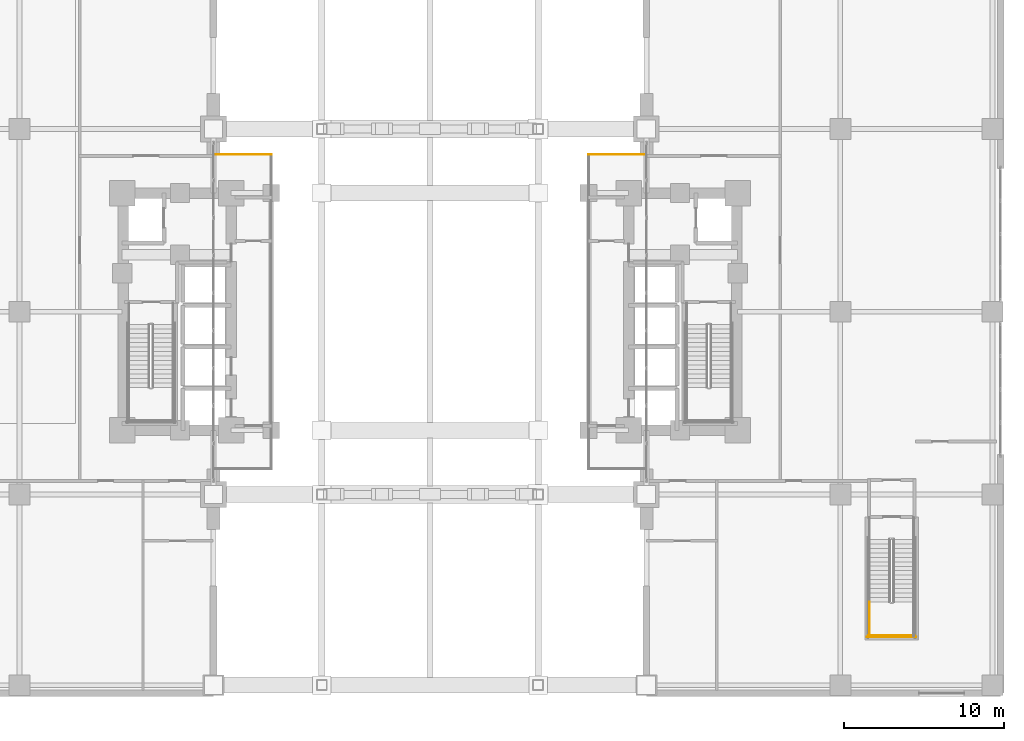
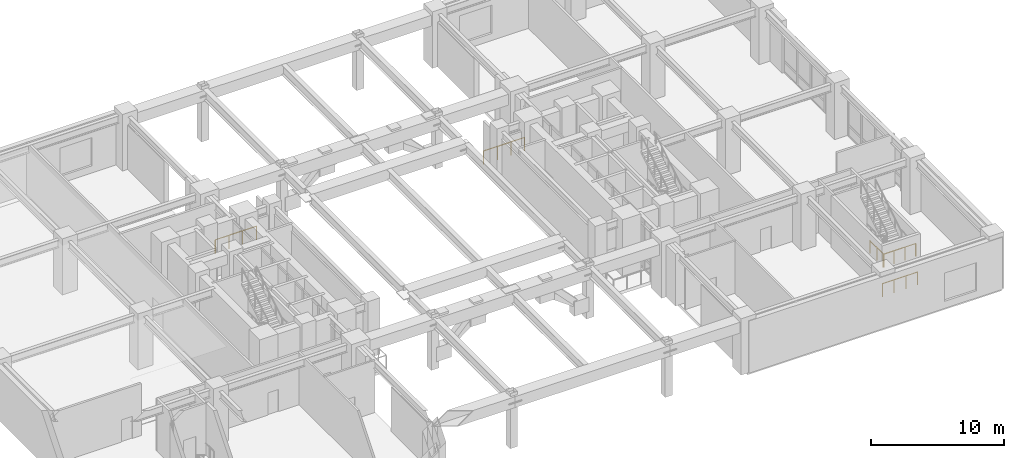
# One storey, part 25 of 26: 5 railings.
"""IFC4 building model written with IfcOpenShell, lengths in metres."""

from ifc_helpers import new_model, si_unit, direction, frame, origin, origin_2d, place, context, subcontext, project, spatial, circle, extrude, material, type_object, element, save


model = new_model("IFC4")

# Units and contexts
model_context = context("Model", 3, precision=1e-05, world=origin(), true_north=direction((0.0, 1.0)))
body_context = subcontext(model_context, "Body", "Model", "MODEL_VIEW")
ifc_project = project(units=[si_unit("LENGTHUNIT", "METRE"), si_unit("AREAUNIT", "SQUARE_METRE"), si_unit("VOLUMEUNIT", "CUBIC_METRE"), si_unit("PLANEANGLEUNIT", "RADIAN"), si_unit("MASSUNIT", "GRAM", prefix="KILO")], contexts=[model_context])

# Site, building, storey
site_placement = place(None, origin())
site = spatial("IfcSite", under=ifc_project, at=site_placement, CompositionType="ELEMENT")
building_placement = place(site_placement, origin())
building = spatial("IfcBuilding", under=site, at=building_placement, Name="Voryun Gate Residences", CompositionType="ELEMENT")
storey_placement = place(building_placement, frame((0.0, 0.0, 15.60009765625)))
storey = spatial("IfcBuildingStorey", under=building, at=storey_placement, Name="L03", CompositionType="ELEMENT", Elevation=15.60009765625)

# Railings
ifc_material_1 = material(Name="Painted steel", Category="steel")
railing_type_1 = type_object("IfcRailingType", Name="RAIL_STAIR_GUARD_1200", PredefinedType="GUARDRAIL", material=ifc_material_1)
railing_1_placement = place(storey_placement, frame((27.425048828125, -18.1201171875, 2.599853515625)))
element("IfcRailing", 1, at=railing_1_placement, inside=storey, type_object=railing_type_1, Name="L03 ST-P2 stair guard 3", PredefinedType="GUARDRAIL", context=body_context, shape_type="SweptSolid", body=[
    extrude(circle(Radius=0.02392578125, at=origin_2d()), frame((0.0, 0.0, 1.17578125), z_axis=(0.0, -1.0, 0.0), x_axis=(1.0, 0.0, 0.0)), (0.0, 0.0, 1.0), 2.1298828125),
    extrude(circle(Radius=0.02099609375, at=origin_2d()), origin(), (0.0, 0.0, 1.0), 1.15185546875),
    extrude(circle(Radius=0.02099609375, at=origin_2d()), frame((0.0, -1.06494140625, 0.0)), (0.0, 0.0, 1.0), 1.15185546875),
    extrude(circle(Radius=0.02099609375, at=origin_2d()), frame((0.0, -2.1298828125, 0.0)), (0.0, 0.0, 1.0), 1.15185546875),
])
railing_2_placement = place(storey_placement, frame((27.375, -20.199951171875, 2.599853515625)))
element("IfcRailing", 2, at=railing_2_placement, inside=storey, type_object=railing_type_1, Name="L03 ST-P2 stair guard 5", PredefinedType="GUARDRAIL", context=body_context, shape_type="SweptSolid", body=[
    extrude(circle(Radius=0.02392578125, at=origin_2d()), frame((0.0, 0.0, 1.17578125), z_axis=(1.0, 0.0, 0.0), x_axis=(0.0, 1.0, 0.0)), (0.0, 0.0, 1.0), 2.85009765625),
    extrude(circle(Radius=0.02099609375, at=origin_2d()), origin(), (0.0, 0.0, 1.0), 1.15185546875),
    extrude(circle(Radius=0.02099609375, at=origin_2d()), frame((0.949951171875, 0.0, 0.0)), (0.0, 0.0, 1.0), 1.15185546875),
    extrude(circle(Radius=0.02099609375, at=origin_2d()), frame((1.900146484375, 0.0, 0.0)), (0.0, 0.0, 1.0), 1.15185546875),
    extrude(circle(Radius=0.02099609375, at=origin_2d()), frame((2.85009765625, 0.0, 0.0)), (0.0, 0.0, 1.0), 1.15185546875),
])
railing_3_placement = place(storey_placement, frame((27.27490234375, -20.300048828125, 0.0)))
element("IfcRailing", 3, at=railing_3_placement, inside=storey, type_object=railing_type_1, Name="L03 ST-P2 stair guard 12", PredefinedType="GUARDRAIL", context=body_context, shape_type="SweptSolid", body=[
    extrude(circle(Radius=0.02392578125, at=origin_2d()), frame((0.0, 0.0, 1.17578125), z_axis=(1.0, 0.0, 0.0), x_axis=(0.0, 1.0, 0.0)), (0.0, 0.0, 1.0), 3.050048828125),
    extrude(circle(Radius=0.02099609375, at=origin_2d()), origin(), (0.0, 0.0, 1.0), 1.15185546875),
    extrude(circle(Radius=0.02099609375, at=origin_2d()), frame((1.0166015625, 0.0, 0.0)), (0.0, 0.0, 1.0), 1.15185546875),
    extrude(circle(Radius=0.02099609375, at=origin_2d()), frame((2.033447265625, 0.0, 0.0)), (0.0, 0.0, 1.0), 1.15185546875),
    extrude(circle(Radius=0.02099609375, at=origin_2d()), frame((3.050048828125, 0.0, 0.0)), (0.0, 0.0, 1.0), 1.15185546875),
])
ifc_material_2 = material(Name="Anodised aluminium", Category="aluminium")
railing_type_2 = type_object("IfcRailingType", Name="RAIL_TERRACE_GUARD_1250", PredefinedType="GUARDRAIL", material=ifc_material_2)
railing_4_placement = place(storey_placement, frame((-9.89990234375, 9.800048828125, 0.0)))
element("IfcRailing", 4, at=railing_4_placement, inside=storey, type_object=railing_type_2, Name="Terrace guard RL-L03-ARCH-W-03", PredefinedType="GUARDRAIL", context=body_context, shape_type="SweptSolid", body=[
    extrude(circle(Radius=0.02392578125, at=origin_2d()), frame((0.0, 0.0, 1.22607421875), z_axis=(-1.0, 0.0, 0.0), x_axis=(0.0, -1.0, 0.0)), (0.0, 0.0, 1.0), 3.580078125),
    extrude(circle(Radius=0.02099609375, at=origin_2d()), origin(), (0.0, 0.0, 1.0), 1.201904296875),
    extrude(circle(Radius=0.02099609375, at=origin_2d()), frame((-1.193359375, 0.0, 0.0)), (0.0, 0.0, 1.0), 1.201904296875),
    extrude(circle(Radius=0.02099609375, at=origin_2d()), frame((-2.38671875, 0.0, 0.0)), (0.0, 0.0, 1.0), 1.201904296875),
    extrude(circle(Radius=0.02099609375, at=origin_2d()), frame((-3.580078125, 0.0, 0.0)), (0.0, 0.0, 1.0), 1.201904296875),
])
railing_5_placement = place(storey_placement, frame((9.89990234375, 9.800048828125, 0.0)))
element("IfcRailing", 5, at=railing_5_placement, inside=storey, type_object=railing_type_2, Name="Terrace guard RL-L03-ARCH-E-03", PredefinedType="GUARDRAIL", context=body_context, shape_type="SweptSolid", body=[
    extrude(circle(Radius=0.02392578125, at=origin_2d()), frame((0.0, 0.0, 1.22607421875), z_axis=(1.0, 0.0, 0.0), x_axis=(0.0, 1.0, 0.0)), (0.0, 0.0, 1.0), 3.580078125),
    extrude(circle(Radius=0.02099609375, at=origin_2d()), origin(), (0.0, 0.0, 1.0), 1.201904296875),
    extrude(circle(Radius=0.02099609375, at=origin_2d()), frame((1.193359375, 0.0, 0.0)), (0.0, 0.0, 1.0), 1.201904296875),
    extrude(circle(Radius=0.02099609375, at=origin_2d()), frame((2.38671875, 0.0, 0.0)), (0.0, 0.0, 1.0), 1.201904296875),
    extrude(circle(Radius=0.02099609375, at=origin_2d()), frame((3.580078125, 0.0, 0.0)), (0.0, 0.0, 1.0), 1.201904296875),
])

save(model, "model.ifc")
